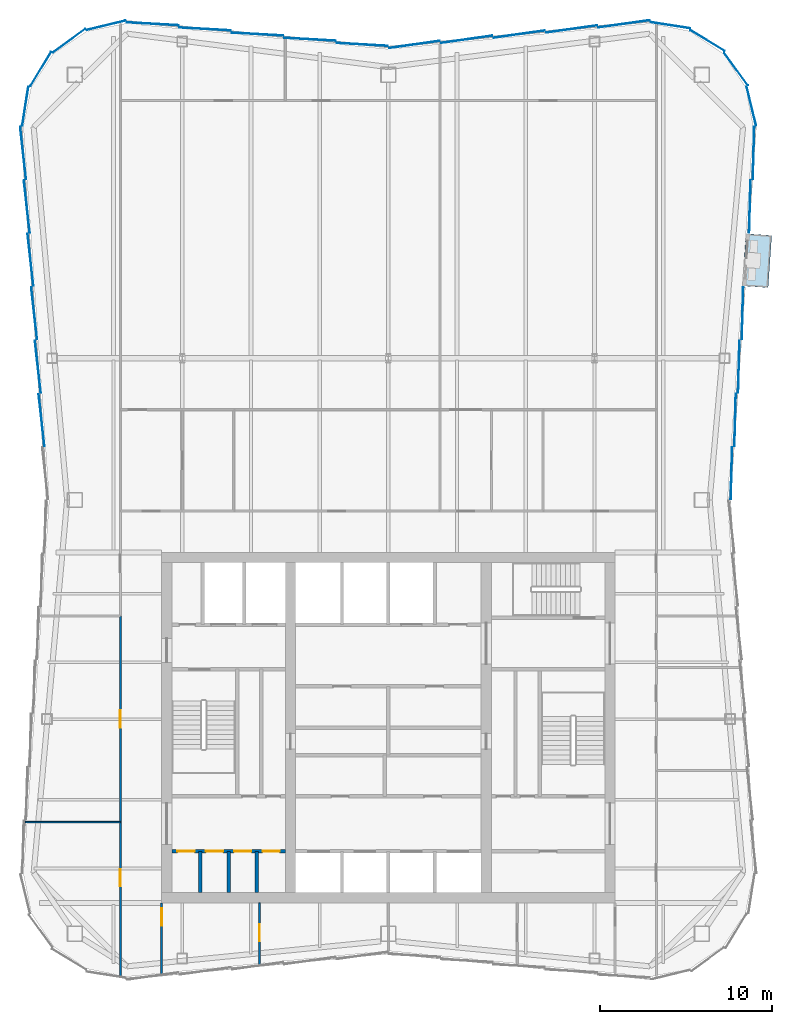
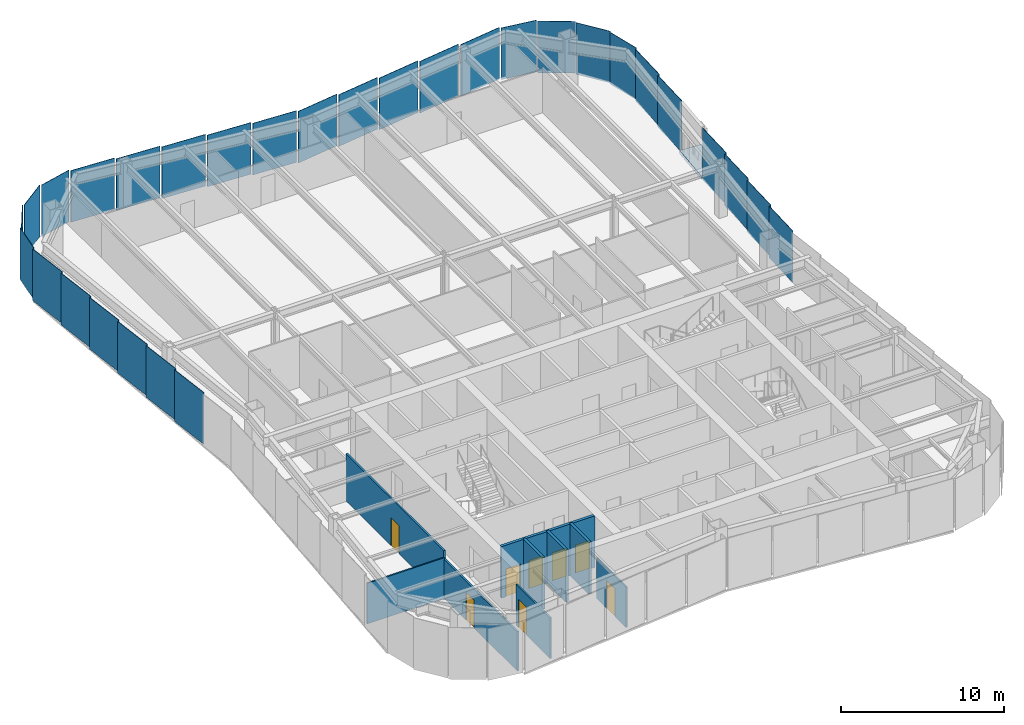
# One storey, part 5 of 11: 30 plates, 9 walls, 8 doors, 1 slab, 8 openings, 5 elements without a shape of their own.
"""IFC4 building model written with IfcOpenShell, lengths in metres."""

from ifc_helpers import new_model, si_unit, direction, frame, frame_2d, origin, origin_2d, place, context, subcontext, project, spatial, polyline, rectangle, outline, extrude, material, layer, layer_set, type_object, element, fill, aggregate, save


model = new_model("IFC4")

# Units and contexts
model_context = context("Model", 3, precision=1e-05, world=origin(), true_north=direction((0.0, 1.0)))
body_context = subcontext(model_context, "Body", "Model", "MODEL_VIEW")
ifc_project = project(units=[si_unit("LENGTHUNIT", "METRE"), si_unit("AREAUNIT", "SQUARE_METRE"), si_unit("VOLUMEUNIT", "CUBIC_METRE"), si_unit("PLANEANGLEUNIT", "RADIAN"), si_unit("MASSUNIT", "GRAM", prefix="KILO")], contexts=[model_context])

# Site, building, storey
site_placement = place(None, origin())
site = spatial("IfcSite", under=ifc_project, at=site_placement, CompositionType="ELEMENT")
building_placement = place(site_placement, origin())
building = spatial("IfcBuilding", under=site, at=building_placement, Name="Verdant Reach Tower", CompositionType="ELEMENT")
storey_placement = place(building_placement, frame((0.0, 0.0, 298.0)))
storey = spatial("IfcBuildingStorey", under=building, at=storey_placement, Name="L68", CompositionType="ELEMENT", Elevation=298.0)

# Slab
ifc_material_1 = material(Name="Concrete C35/45", Category="concrete")
ifc_layer_1 = layer(ifc_material_1, 0.25)
ifc_layer_set_1 = layer_set([ifc_layer_1], Name="EN-BALCONY SLAB")
slab_type = type_object("IfcSlabType", Name="EN-BALCONY SLAB", PredefinedType="FLOOR", material=ifc_layer_set_1)
slab_placement = place(storey_placement, frame((0.0, 0.0, -0.25)))
element("IfcSlab", 1, at=slab_placement, inside=storey, type_object=slab_type, Name="Balcony slab 1, L68", PredefinedType="FLOOR", context=body_context, shape_type="SweptSolid", body=[
    extrude(outline(polyline([(20.609619140625, 53.71337890625), (20.819091796875, 56.750732421875), (22.3154296875, 56.647705078125), (22.10595703125, 53.6103515625), (20.609619140625, 53.71337890625)])), origin(), (0.0, 0.0, 1.0), 0.25),
])

# Curtain wall, plates
ifc_material_2 = material(Name="Anodised aluminium", Category="aluminium")
curtain_wall_type = type_object("IfcCurtainWallType", Name="EN-CW SYSTEM Z5", PredefinedType="NOTDEFINED", material=ifc_material_2)
curtain_wall_1_placement = place(storey_placement, origin())
curtain_wall_1 = element("IfcCurtainWall", 2, at=curtain_wall_1_placement, inside=storey, type_object=curtain_wall_type, Name="Curtain wall east, L68", PredefinedType="NOTDEFINED")
ifc_material_3 = material(Name="Tinted glass with champagne spandrel", Category="glass")
ifc_layer_2 = layer(ifc_material_3, 0.031982421875)
ifc_layer_set_2 = layer_set([ifc_layer_2], Name="EN-PANEL CHAMPAGNE")
plate_type_1 = type_object("IfcPlateType", Name="EN-PANEL CHAMPAGNE", PredefinedType="CURTAIN_PANEL", material=ifc_layer_set_2)
plate_1_placement = place(storey_placement, frame((20.18603515625, 45.90283203125, -0.219970703125), z_axis=(0.0, 0.0, 1.0), x_axis=(0.026965318308, 0.999636369691, 0.0)))
plate_1 = element("IfcPlate", 3, at=plate_1_placement, type_object=plate_type_1, Name="Glass panel east face part 2 2.1, L68", PredefinedType="CURTAIN_PANEL", context=body_context, shape_type="SweptSolid", body=[
    extrude(rectangle(XDim=3.048583984375, YDim=0.031982421875, at=origin_2d()), origin(), (0.0, 0.0, 1.0), 3.8701171875),
])
plate_2_placement = place(storey_placement, frame((20.400390625, 49.010009765625, -0.219970703125), z_axis=(0.0, 0.0, 1.0), x_axis=(0.026965318308, 0.999636369691, 0.0)))
plate_2 = element("IfcPlate", 4, at=plate_2_placement, type_object=plate_type_1, Name="Glass panel east face part 2 3.1, L68", PredefinedType="CURTAIN_PANEL", context=body_context, shape_type="SweptSolid", body=[
    extrude(rectangle(XDim=3.048583984375, YDim=0.031982421875, at=origin_2d()), origin(), (0.0, 0.0, 1.0), 3.8701171875),
])

curtain_wall_2_placement = place(storey_placement, origin())
curtain_wall_2 = element("IfcCurtainWall", 5, at=curtain_wall_2_placement, inside=storey, type_object=curtain_wall_type, Name="Curtain wall north-east corner, L68", PredefinedType="NOTDEFINED")
plate_3_placement = place(storey_placement, frame((21.132080078125, 64.173828125, -0.219970703125), z_axis=(0.0, 0.0, 1.0), x_axis=(-0.236471447122, 0.971638438256, 0.0)))
plate_3 = element("IfcPlate", 6, at=plate_3_placement, type_object=plate_type_1, Name="Glass panel north-east corner 1.1, L68", PredefinedType="CURTAIN_PANEL", context=body_context, shape_type="SweptSolid", body=[
    extrude(rectangle(XDim=2.312744140625, YDim=0.031982421875, at=origin_2d()), origin(), (0.0, 0.0, 1.0), 3.8701171875),
])
plate_4_placement = place(storey_placement, frame((20.23681640625, 66.33203125, -0.219970703125), z_axis=(0.0, 0.0, 1.0), x_axis=(-0.58992672698, 0.807456783236, 0.0)))
plate_4 = element("IfcPlate", 7, at=plate_4_placement, type_object=plate_type_1, Name="Glass panel north-east corner 2.1, L68", PredefinedType="CURTAIN_PANEL", context=body_context, shape_type="SweptSolid", body=[
    extrude(rectangle(XDim=2.320068359375, YDim=0.031982421875, at=origin_2d()), origin(), (0.0, 0.0, 1.0), 3.8701171875),
])

# Curtain wall, plate
curtain_wall_3_placement = place(storey_placement, origin())
curtain_wall_3 = element("IfcCurtainWall", 8, at=curtain_wall_3_placement, inside=storey, type_object=curtain_wall_type, Name="Curtain wall north, L68", PredefinedType="NOTDEFINED")
plate_5_placement = place(storey_placement, frame((-1.519287109375, 67.7646484375, -0.219970703125), z_axis=(0.0, 0.0, 1.0), x_axis=(-0.998413420442, 0.05630845301, 0.0)))
plate_5 = element("IfcPlate", 9, at=plate_5_placement, type_object=plate_type_1, Name="Glass panel north face part 2 1.1, L68", PredefinedType="CURTAIN_PANEL", context=body_context, shape_type="SweptSolid", body=[
    extrude(rectangle(XDim=2.987548828125, YDim=0.031982421875, at=origin_2d()), origin(), (0.0, 0.0, 1.0), 3.8701171875),
])

# Curtain wall, plates
curtain_wall_4_placement = place(storey_placement, origin())
curtain_wall_4 = element("IfcCurtainWall", 10, at=curtain_wall_4_placement, inside=storey, type_object=curtain_wall_type, Name="Curtain wall west, L68", PredefinedType="NOTDEFINED")
plate_6_placement = place(storey_placement, frame((-20.61474609375, 52.1171875, -0.219970703125), z_axis=(0.0, 0.0, 1.0), x_axis=(0.110518162674, -0.993874104562, 0.0)))
plate_6 = element("IfcPlate", 11, at=plate_6_placement, type_object=plate_type_1, Name="Glass panel west face part 1 4.1, L68", PredefinedType="CURTAIN_PANEL", context=body_context, shape_type="SweptSolid", body=[
    extrude(rectangle(XDim=3.048583984375, YDim=0.031982421875, at=origin_2d()), origin(), (0.0, 0.0, 1.0), 3.8701171875),
])
plate_7_placement = place(storey_placement, frame((-20.400390625, 49.010009765625, -0.219970703125), z_axis=(0.0, 0.0, 1.0), x_axis=(0.110518162674, -0.993874104562, 0.0)))
plate_7 = element("IfcPlate", 12, at=plate_7_placement, type_object=plate_type_1, Name="Glass panel west face part 1 5.1, L68", PredefinedType="CURTAIN_PANEL", context=body_context, shape_type="SweptSolid", body=[
    extrude(rectangle(XDim=3.048583984375, YDim=0.031982421875, at=origin_2d()), origin(), (0.0, 0.0, 1.0), 3.8701171875),
])
plate_8_placement = place(storey_placement, frame((-20.18603515625, 45.90283203125, -0.219970703125), z_axis=(0.0, 0.0, 1.0), x_axis=(0.110518162674, -0.993874104562, 0.0)))
plate_8 = element("IfcPlate", 13, at=plate_8_placement, type_object=plate_type_1, Name="Glass panel west face part 1 6.1, L68", PredefinedType="CURTAIN_PANEL", context=body_context, shape_type="SweptSolid", body=[
    extrude(rectangle(XDim=3.048583984375, YDim=0.031982421875, at=origin_2d()), origin(), (0.0, 0.0, 1.0), 3.8701171875),
])

# Plate
ifc_material_4 = material(Name="Tinted glass with copper spandrel", Category="glass")
ifc_layer_3 = layer(ifc_material_4, 0.031982421875)
ifc_layer_set_3 = layer_set([ifc_layer_3], Name="EN-PANEL COPPER")
plate_type_2 = type_object("IfcPlateType", Name="EN-PANEL COPPER", PredefinedType="CURTAIN_PANEL", material=ifc_layer_set_3)
plate_9_placement = place(storey_placement, frame((20.61474609375, 52.1171875, -0.219970703125), z_axis=(0.0, 0.0, 1.0), x_axis=(0.026965318308, 0.999636369691, 0.0)))
plate_9 = element("IfcPlate", 14, at=plate_9_placement, type_object=plate_type_2, Name="Glass panel east face part 2 4.1, L68", PredefinedType="CURTAIN_PANEL", context=body_context, shape_type="SweptSolid", body=[
    extrude(rectangle(XDim=3.048583984375, YDim=0.031982421875, at=origin_2d()), origin(), (0.0, 0.0, 1.0), 3.8701171875),
])

plate_10_placement = place(storey_placement, frame((21.043212890625, 58.331298828125, -0.219970703125), z_axis=(0.0, 0.0, 1.0), x_axis=(0.026965318308, 0.999636369691, 0.0)))
plate_10 = element("IfcPlate", 15, at=plate_10_placement, type_object=plate_type_2, Name="Glass panel east face part 2 6.1, L68", PredefinedType="CURTAIN_PANEL", context=body_context, shape_type="SweptSolid", body=[
    extrude(rectangle(XDim=3.048583984375, YDim=0.031982421875, at=origin_2d()), origin(), (0.0, 0.0, 1.0), 3.8701171875),
])

plate_11_placement = place(storey_placement, frame((18.58203125, 67.98681640625, -0.219970703125), z_axis=(0.0, 0.0, 1.0), x_axis=(-0.853988714885, 0.520291528711, 0.0)))
plate_11 = element("IfcPlate", 16, at=plate_11_placement, type_object=plate_type_2, Name="Glass panel north-east corner 3.1, L68", PredefinedType="CURTAIN_PANEL", context=body_context, shape_type="SweptSolid", body=[
    extrude(rectangle(XDim=2.320068359375, YDim=0.031982421875, at=origin_2d()), origin(), (0.0, 0.0, 1.0), 3.8701171875),
])

plate_12_placement = place(storey_placement, frame((16.4228515625, 68.88232421875, -0.219970703125), z_axis=(0.0, 0.0, 1.0), x_axis=(-0.988033409454, 0.154240013621, 0.0)))
plate_12 = element("IfcPlate", 17, at=plate_12_placement, type_object=plate_type_2, Name="Glass panel north-east corner 4.1, L68", PredefinedType="CURTAIN_PANEL", context=body_context, shape_type="SweptSolid", body=[
    extrude(rectangle(XDim=2.314453125, YDim=0.031982421875, at=origin_2d()), origin(), (0.0, 0.0, 1.0), 3.8701171875),
])

aggregate(curtain_wall_2, [plate_3, plate_4, plate_11, plate_12])

plate_13_placement = place(storey_placement, frame((13.72216796875, 68.964599609375, -0.219970703125), z_axis=(0.0, 0.0, 1.0), x_axis=(-0.990281521639, -0.139077345032, 0.0)))
plate_13 = element("IfcPlate", 18, at=plate_13_placement, type_object=plate_type_2, Name="Glass panel north face part 1 1.1, L68", PredefinedType="CURTAIN_PANEL", context=body_context, shape_type="SweptSolid", body=[
    extrude(rectangle(XDim=3.015625, YDim=0.031982421875, at=origin_2d()), origin(), (0.0, 0.0, 1.0), 3.8701171875),
])

plate_14_placement = place(storey_placement, frame((10.663818359375, 68.66455078125, -0.219970703125), z_axis=(0.0, 0.0, 1.0), x_axis=(-0.990225318365, -0.139476947446, 0.0)))
plate_14 = element("IfcPlate", 19, at=plate_14_placement, type_object=plate_type_2, Name="Glass panel north face part 1 2.1, L68", PredefinedType="CURTAIN_PANEL", context=body_context, shape_type="SweptSolid", body=[
    extrude(rectangle(XDim=2.998779296875, YDim=0.031982421875, at=origin_2d()), origin(), (0.0, 0.0, 1.0), 3.8701171875),
])

plate_15_placement = place(storey_placement, frame((-4.563720703125, 68.064453125, -0.219970703125), z_axis=(0.0, 0.0, 1.0), x_axis=(-0.998423588956, 0.056127863106, 0.0)))
plate_15 = element("IfcPlate", 20, at=plate_15_placement, type_object=plate_type_2, Name="Glass panel north face part 2 2.1, L68", PredefinedType="CURTAIN_PANEL", context=body_context, shape_type="SweptSolid", body=[
    extrude(rectangle(XDim=2.998779296875, YDim=0.031982421875, at=origin_2d()), origin(), (0.0, 0.0, 1.0), 3.8701171875),
])

plate_16_placement = place(storey_placement, frame((-7.61376953125, 68.364501953125, -0.219970703125), z_axis=(0.0, 0.0, 1.0), x_axis=(-0.998423588956, 0.056127863106, 0.0)))
plate_16 = element("IfcPlate", 21, at=plate_16_placement, type_object=plate_type_2, Name="Glass panel north face part 2 3.1, L68", PredefinedType="CURTAIN_PANEL", context=body_context, shape_type="SweptSolid", body=[
    extrude(rectangle(XDim=2.998779296875, YDim=0.031982421875, at=origin_2d()), origin(), (0.0, 0.0, 1.0), 3.8701171875),
])

plate_17_placement = place(storey_placement, frame((-10.663818359375, 68.66455078125, -0.219970703125), z_axis=(0.0, 0.0, 1.0), x_axis=(-0.998423588956, 0.056127863106, 0.0)))
plate_17 = element("IfcPlate", 22, at=plate_17_placement, type_object=plate_type_2, Name="Glass panel north face part 2 4.1, L68", PredefinedType="CURTAIN_PANEL", context=body_context, shape_type="SweptSolid", body=[
    extrude(rectangle(XDim=2.998779296875, YDim=0.031982421875, at=origin_2d()), origin(), (0.0, 0.0, 1.0), 3.8701171875),
])

# Curtain wall, plates
curtain_wall_5_placement = place(storey_placement, origin())
curtain_wall_5 = element("IfcCurtainWall", 23, at=curtain_wall_5_placement, inside=storey, type_object=curtain_wall_type, Name="Curtain wall north-west corner, L68", PredefinedType="NOTDEFINED")
plate_18_placement = place(storey_placement, frame((-16.4228515625, 68.88232421875, -0.219970703125), z_axis=(0.0, 0.0, 1.0), x_axis=(-0.971661765526, -0.236375577028, 0.0)))
plate_18 = element("IfcPlate", 24, at=plate_18_placement, type_object=plate_type_2, Name="Glass panel north-west corner 1.1, L68", PredefinedType="CURTAIN_PANEL", context=body_context, shape_type="SweptSolid", body=[
    extrude(rectangle(XDim=2.314453125, YDim=0.031982421875, at=origin_2d()), origin(), (0.0, 0.0, 1.0), 3.8701171875),
])
plate_19_placement = place(storey_placement, frame((-18.58203125, 67.98681640625, -0.219970703125), z_axis=(0.0, 0.0, 1.0), x_axis=(-0.807456783236, -0.58992672698, 0.0)))
plate_19 = element("IfcPlate", 25, at=plate_19_placement, type_object=plate_type_2, Name="Glass panel north-west corner 2.1, L68", PredefinedType="CURTAIN_PANEL", context=body_context, shape_type="SweptSolid", body=[
    extrude(rectangle(XDim=2.320068359375, YDim=0.031982421875, at=origin_2d()), origin(), (0.0, 0.0, 1.0), 3.8701171875),
])

# Plate
plate_20_placement = place(storey_placement, frame((-21.257568359375, 61.446044921875, -0.219970703125), z_axis=(0.0, 0.0, 1.0), x_axis=(0.110197580247, -0.993909700782, 0.0)))
plate_20 = element("IfcPlate", 26, at=plate_20_placement, type_object=plate_type_2, Name="Glass panel west face part 1 1.1, L68", PredefinedType="CURTAIN_PANEL", context=body_context, shape_type="SweptSolid", body=[
    extrude(rectangle(XDim=3.063720703125, YDim=0.031982421875, at=origin_2d()), origin(), (0.0, 0.0, 1.0), 3.8701171875),
])

ifc_material_5 = material(Name="Tinted glass with dark bronze spandrel", Category="glass")
ifc_layer_4 = layer(ifc_material_5, 0.031982421875)
ifc_layer_set_4 = layer_set([ifc_layer_4], Name="EN-PANEL DARK")
plate_type_3 = type_object("IfcPlateType", Name="EN-PANEL DARK", PredefinedType="CURTAIN_PANEL", material=ifc_layer_set_4)
plate_21_placement = place(storey_placement, frame((19.971923828125, 42.799560546875, -0.219970703125), z_axis=(0.0, 0.0, 1.0), x_axis=(0.027053006415, 0.999634000444, 0.0)))
plate_21 = element("IfcPlate", 27, at=plate_21_placement, type_object=plate_type_3, Name="Glass panel east face part 2 1.1, L68", PredefinedType="CURTAIN_PANEL", context=body_context, shape_type="SweptSolid", body=[
    extrude(rectangle(XDim=3.04052734375, YDim=0.031982421875, at=origin_2d()), origin(), (0.0, 0.0, 1.0), 3.8701171875),
])

plate_22_placement = place(storey_placement, frame((21.257568359375, 61.446044921875, -0.219970703125), z_axis=(0.0, 0.0, 1.0), x_axis=(0.026642881595, 0.999645015423, 0.0)))
plate_22 = element("IfcPlate", 28, at=plate_22_placement, type_object=plate_type_3, Name="Glass panel east face part 2 7.1, L68", PredefinedType="CURTAIN_PANEL", context=body_context, shape_type="SweptSolid", body=[
    extrude(rectangle(XDim=3.063720703125, YDim=0.031982421875, at=origin_2d()), origin(), (0.0, 0.0, 1.0), 3.8701171875),
])

aggregate(curtain_wall_1, [plate_21, plate_1, plate_2, plate_9, plate_10, plate_22])

plate_23_placement = place(storey_placement, frame((7.61376953125, 68.364501953125, -0.219970703125), z_axis=(0.0, 0.0, 1.0), x_axis=(-0.990225318365, -0.139476947446, 0.0)))
plate_23 = element("IfcPlate", 29, at=plate_23_placement, type_object=plate_type_3, Name="Glass panel north face part 1 3.1, L68", PredefinedType="CURTAIN_PANEL", context=body_context, shape_type="SweptSolid", body=[
    extrude(rectangle(XDim=2.998779296875, YDim=0.031982421875, at=origin_2d()), origin(), (0.0, 0.0, 1.0), 3.8701171875),
])

plate_24_placement = place(storey_placement, frame((4.563720703125, 68.064453125, -0.219970703125), z_axis=(0.0, 0.0, 1.0), x_axis=(-0.990225318365, -0.139476947446, 0.0)))
plate_24 = element("IfcPlate", 30, at=plate_24_placement, type_object=plate_type_3, Name="Glass panel north face part 1 4.1, L68", PredefinedType="CURTAIN_PANEL", context=body_context, shape_type="SweptSolid", body=[
    extrude(rectangle(XDim=2.998779296875, YDim=0.031982421875, at=origin_2d()), origin(), (0.0, 0.0, 1.0), 3.8701171875),
])

plate_25_placement = place(storey_placement, frame((1.519287109375, 67.7646484375, -0.219970703125), z_axis=(0.0, 0.0, 1.0), x_axis=(-0.990200074141, -0.139656053116, 0.0)))
plate_25 = element("IfcPlate", 31, at=plate_25_placement, type_object=plate_type_3, Name="Glass panel north face part 1 5.1, L68", PredefinedType="CURTAIN_PANEL", context=body_context, shape_type="SweptSolid", body=[
    extrude(rectangle(XDim=2.987548828125, YDim=0.031982421875, at=origin_2d()), origin(), (0.0, 0.0, 1.0), 3.8701171875),
])

plate_26_placement = place(storey_placement, frame((-13.72216796875, 68.964599609375, -0.219970703125), z_axis=(0.0, 0.0, 1.0), x_axis=(-0.998446157248, 0.055724959185, 0.0)))
plate_26 = element("IfcPlate", 32, at=plate_26_placement, type_object=plate_type_3, Name="Glass panel north face part 2 5.1, L68", PredefinedType="CURTAIN_PANEL", context=body_context, shape_type="SweptSolid", body=[
    extrude(rectangle(XDim=3.015625, YDim=0.031982421875, at=origin_2d()), origin(), (0.0, 0.0, 1.0), 3.8701171875),
])

aggregate(curtain_wall_3, [plate_13, plate_14, plate_23, plate_24, plate_25, plate_5, plate_15, plate_16, plate_17, plate_26])

plate_27_placement = place(storey_placement, frame((-20.23681640625, 66.33203125, -0.219970703125), z_axis=(0.0, 0.0, 1.0), x_axis=(-0.520291528711, -0.853988714885, 0.0)))
plate_27 = element("IfcPlate", 33, at=plate_27_placement, type_object=plate_type_3, Name="Glass panel north-west corner 3.1, L68", PredefinedType="CURTAIN_PANEL", context=body_context, shape_type="SweptSolid", body=[
    extrude(rectangle(XDim=2.320068359375, YDim=0.031982421875, at=origin_2d()), origin(), (0.0, 0.0, 1.0), 3.8701171875),
])

plate_28_placement = place(storey_placement, frame((-21.132080078125, 64.173828125, -0.219970703125), z_axis=(0.0, 0.0, 1.0), x_axis=(-0.154337499461, -0.988018186199, 0.0)))
plate_28 = element("IfcPlate", 34, at=plate_28_placement, type_object=plate_type_3, Name="Glass panel north-west corner 4.1, L68", PredefinedType="CURTAIN_PANEL", context=body_context, shape_type="SweptSolid", body=[
    extrude(rectangle(XDim=2.312744140625, YDim=0.031982421875, at=origin_2d()), origin(), (0.0, 0.0, 1.0), 3.8701171875),
])

aggregate(curtain_wall_5, [plate_18, plate_19, plate_27, plate_28])

plate_29_placement = place(storey_placement, frame((-21.043212890625, 58.331298828125, -0.219970703125), z_axis=(0.0, 0.0, 1.0), x_axis=(0.110518162674, -0.993874104562, 0.0)))
plate_29 = element("IfcPlate", 35, at=plate_29_placement, type_object=plate_type_3, Name="Glass panel west face part 1 2.1, L68", PredefinedType="CURTAIN_PANEL", context=body_context, shape_type="SweptSolid", body=[
    extrude(rectangle(XDim=3.048583984375, YDim=0.031982421875, at=origin_2d()), origin(), (0.0, 0.0, 1.0), 3.8701171875),
])

plate_30_placement = place(storey_placement, frame((-20.8291015625, 55.22412109375, -0.219970703125), z_axis=(0.0, 0.0, 1.0), x_axis=(0.110518162674, -0.993874104562, 0.0)))
plate_30 = element("IfcPlate", 36, at=plate_30_placement, type_object=plate_type_3, Name="Glass panel west face part 1 3.1, L68", PredefinedType="CURTAIN_PANEL", context=body_context, shape_type="SweptSolid", body=[
    extrude(rectangle(XDim=3.048583984375, YDim=0.031982421875, at=origin_2d()), origin(), (0.0, 0.0, 1.0), 3.8701171875),
])

aggregate(curtain_wall_4, [plate_20, plate_29, plate_30, plate_6, plate_7, plate_8])

# Wall, openings, doors
ifc_material_6 = material(Name="Gypsum board on steel studs", Category="steel")
ifc_layer_5 = layer(ifc_material_6, 0.199951171875)
ifc_layer_set_5 = layer_set([ifc_layer_5], Name="CO-WALL-ROOM")
wall_type_1 = type_object("IfcWallType", Name="CO-WALL-ROOM", PredefinedType="PARTITIONING", material=ifc_layer_set_5)
wall_1_placement = place(storey_placement, frame((-12.60009765625, 20.800048828125, 0.0), z_axis=(0.0, 0.0, 1.0), x_axis=(1.0, 0.0, 0.0)))
wall_1 = element("IfcWall", 37, at=wall_1_placement, inside=storey, type_object=wall_type_1, Name="Core partition, L68", PredefinedType="PARTITIONING", context=body_context, shape_type="SweptSolid", body=[
    extrude(rectangle(XDim=6.60009765625, YDim=0.199951171875, at=frame_2d((3.300048828125, 0.0))), origin(), (0.0, 0.0, 1.0), 3.8701171875),
])
opening_1_placement = place(wall_1_placement, frame((0.324951171875, 0.0, 0.0)))
opening_1 = element("IfcOpeningElement", 38, at=opening_1_placement, cuts=wall_1, Name="Opening CD", PredefinedType="OPENING", context=body_context, shape_type="SweptSolid", body=[
    extrude(rectangle(XDim=1.0, YDim=2.10009765625, at=frame_2d((0.5, 1.050048828125))), frame((0.0, 0.10986328125, 0.0), z_axis=(0.0, -1.0, 0.0), x_axis=(1.0, 0.0, 0.0)), (0.0, 0.0, 1.0), 0.219970703125),
])
opening_2_placement = place(wall_1_placement, frame((1.97509765625, 0.0, 0.0)))
opening_2 = element("IfcOpeningElement", 39, at=opening_2_placement, cuts=wall_1, Name="Opening CD", PredefinedType="OPENING", context=body_context, shape_type="SweptSolid", body=[
    extrude(rectangle(XDim=1.0, YDim=2.10009765625, at=frame_2d((0.5, 1.050048828125))), frame((0.0, 0.10986328125, 0.0), z_axis=(0.0, -1.0, 0.0), x_axis=(1.0, 0.0, 0.0)), (0.0, 0.0, 1.0), 0.219970703125),
])
opening_3_placement = place(wall_1_placement, frame((3.625, 0.0, 0.0)))
opening_3 = element("IfcOpeningElement", 40, at=opening_3_placement, cuts=wall_1, Name="Opening CD", PredefinedType="OPENING", context=body_context, shape_type="SweptSolid", body=[
    extrude(rectangle(XDim=1.0, YDim=2.10009765625, at=frame_2d((0.5, 1.050048828125))), frame((0.0, 0.10986328125, 0.0), z_axis=(0.0, -1.0, 0.0), x_axis=(1.0, 0.0, 0.0)), (0.0, 0.0, 1.0), 0.219970703125),
])
opening_4_placement = place(wall_1_placement, frame((5.27490234375, 0.0, 0.0)))
opening_4 = element("IfcOpeningElement", 41, at=opening_4_placement, cuts=wall_1, Name="Opening CD", PredefinedType="OPENING", context=body_context, shape_type="SweptSolid", body=[
    extrude(rectangle(XDim=1.0, YDim=2.10009765625, at=frame_2d((0.5, 1.050048828125))), frame((0.0, 0.10986328125, 0.0), z_axis=(0.0, -1.0, 0.0), x_axis=(1.0, 0.0, 0.0)), (0.0, 0.0, 1.0), 0.219970703125),
])
ifc_material_7 = material(Name="Timber", Category="wood")
door_type_1 = type_object("IfcDoorType", Name="CO-DOOR-ROOM", OperationType="NOTDEFINED", PredefinedType="DOOR", material=ifc_material_7)
door_1_placement = place(opening_1_placement, origin())
door_1 = element("IfcDoor", 42, at=door_1_placement, inside=storey, type_object=door_type_1, Name="Core room door, L68", OperationType="SINGLE_SWING_RIGHT", OverallHeight=2.10009765625, OverallWidth=1.0, PredefinedType="DOOR", context=body_context, shape_type="SweptSolid", body=[
    extrude(rectangle(XDim=1.0, YDim=2.10009765625, at=frame_2d((0.5, 1.050048828125))), frame((0.0, 0.02490234375, 0.0), z_axis=(0.0, -1.0, 0.0), x_axis=(1.0, 0.0, 0.0)), (0.0, 0.0, 1.0), 0.050048828125),
])
fill(opening_1, door_1)
door_2_placement = place(opening_2_placement, origin())
door_2 = element("IfcDoor", 43, at=door_2_placement, inside=storey, type_object=door_type_1, Name="Core room door, L68", OperationType="SINGLE_SWING_RIGHT", OverallHeight=2.10009765625, OverallWidth=1.0, PredefinedType="DOOR", context=body_context, shape_type="SweptSolid", body=[
    extrude(rectangle(XDim=1.0, YDim=2.10009765625, at=frame_2d((0.5, 1.050048828125))), frame((0.0, 0.02490234375, 0.0), z_axis=(0.0, -1.0, 0.0), x_axis=(1.0, 0.0, 0.0)), (0.0, 0.0, 1.0), 0.050048828125),
])
fill(opening_2, door_2)
door_3_placement = place(opening_3_placement, origin())
door_3 = element("IfcDoor", 44, at=door_3_placement, inside=storey, type_object=door_type_1, Name="Core room door, L68", OperationType="SINGLE_SWING_LEFT", OverallHeight=2.10009765625, OverallWidth=1.0, PredefinedType="DOOR", context=body_context, shape_type="SweptSolid", body=[
    extrude(rectangle(XDim=1.0, YDim=2.10009765625, at=frame_2d((0.5, 1.050048828125))), frame((0.0, 0.02490234375, 0.0), z_axis=(0.0, -1.0, 0.0), x_axis=(1.0, 0.0, 0.0)), (0.0, 0.0, 1.0), 0.050048828125),
])
fill(opening_3, door_3)
door_4_placement = place(opening_4_placement, origin())
door_4 = element("IfcDoor", 45, at=door_4_placement, inside=storey, type_object=door_type_1, Name="Core room door, L68", OperationType="SINGLE_SWING_LEFT", OverallHeight=2.10009765625, OverallWidth=1.0, PredefinedType="DOOR", context=body_context, shape_type="SweptSolid", body=[
    extrude(rectangle(XDim=1.0, YDim=2.10009765625, at=frame_2d((0.5, 1.050048828125))), frame((0.0, 0.02490234375, 0.0), z_axis=(0.0, -1.0, 0.0), x_axis=(1.0, 0.0, 0.0)), (0.0, 0.0, 1.0), 0.050048828125),
])
fill(opening_4, door_4)

# Walls
for number, where, z_axis, x_axis, name in (
    (46, (-10.949951171875, 18.39990234375, 0.0), (0.0, 0.0, 1.0), (0.0, 1.0, 0.0), "Core partition, L68"),
    (47, (-9.300048828125, 18.39990234375, 0.0), (0.0, 0.0, 1.0), (0.0, 1.0, 0.0), "Core partition, L68"),
    (48, (-7.64990234375, 18.39990234375, 0.0), (0.0, 0.0, 1.0), (0.0, 1.0, 0.0), "Core partition, L68"),
):
    element("IfcWall", number, at=place(storey_placement, frame(where, z_axis=z_axis, x_axis=x_axis)), inside=storey, type_object=wall_type_1, Name=name, PredefinedType="PARTITIONING", context=body_context, shape_type="SweptSolid", body=[
        extrude(rectangle(XDim=2.400146484375, YDim=0.199951171875, at=frame_2d((1.2001953125, 0.0))), origin(), (0.0, 0.0, 1.0), 3.8701171875),
    ])
ifc_layer_6 = layer(ifc_material_6, 0.10009765625)
ifc_layer_set_6 = layer_set([ifc_layer_6], Name="FL-W1 Partition 100")
wall_type_2 = type_object("IfcWallType", Name="FL-W1 Partition 100", PredefinedType="PARTITIONING", material=ifc_layer_set_6)
wall_2_placement = place(storey_placement, frame((-15.60009765625, 22.5, 0.0), z_axis=(0.0, 0.0, 1.0), x_axis=(-1.0, 0.0, 0.0)))
element("IfcWall", 49, at=wall_2_placement, inside=storey, type_object=wall_type_2, Name="Partition 68.17", PredefinedType="PARTITIONING", context=body_context, shape_type="SweptSolid", body=[
    extrude(rectangle(XDim=5.52294921875, YDim=0.10009765625, at=frame_2d((2.761474609375, 0.0))), origin(), (0.0, 0.0, 1.0), 3.0400390625),
])

# Wall, opening, door
wall_3_placement = place(storey_placement, frame((-7.5, 17.800048828125, 0.0), z_axis=(0.0, 0.0, 1.0), x_axis=(0.0, -1.0, 0.0)))
wall_3 = element("IfcWall", 50, at=wall_3_placement, inside=storey, type_object=wall_type_2, Name="Partition 68.29", PredefinedType="PARTITIONING", context=body_context, shape_type="SweptSolid", body=[
    extrude(rectangle(XDim=3.61767578125, YDim=0.10009765625, at=frame_2d((1.808837890625, 0.0))), origin(), (0.0, 0.0, 1.0), 3.0400390625),
])
opening_5_placement = place(wall_3_placement, frame((1.24365234375, 0.0, 0.0)))
opening_5 = element("IfcOpeningElement", 51, at=opening_5_placement, cuts=wall_3, Name="Opening D3", PredefinedType="OPENING", context=body_context, shape_type="SweptSolid", body=[
    extrude(rectangle(XDim=1.0, YDim=2.10009765625, at=frame_2d((0.5, 1.050048828125))), frame((0.0, 0.06005859375, 0.0), z_axis=(0.0, -1.0, 0.0), x_axis=(1.0, 0.0, 0.0)), (0.0, 0.0, 1.0), 0.1201171875),
])
ifc_material_8 = material(Name="Painted timber door leaf", Category="wood")
door_type_2 = type_object("IfcDoorType", Name="FL-D3 Door 1000x2100", OperationType="NOTDEFINED", PredefinedType="DOOR", material=ifc_material_8)
door_5_placement = place(opening_5_placement, origin())
door_5 = element("IfcDoor", 52, at=door_5_placement, inside=storey, type_object=door_type_2, Name="Door 68-015", OperationType="SINGLE_SWING_LEFT", OverallHeight=2.10009765625, OverallWidth=1.0, PredefinedType="DOOR", context=body_context, shape_type="SweptSolid", body=[
    extrude(rectangle(XDim=1.0, YDim=2.10009765625, at=frame_2d((0.5, 1.050048828125))), frame((0.0, 0.02490234375, 0.0), z_axis=(0.0, -1.0, 0.0), x_axis=(1.0, 0.0, 0.0)), (0.0, 0.0, 1.0), 0.050048828125),
])
fill(opening_5, door_5)

ifc_material_9 = material(Name="Gypsum board on steel studs, fire rated", Category="steel")
ifc_layer_7 = layer(ifc_material_9, 0.125)
ifc_layer_set_7 = layer_set([ifc_layer_7], Name="FL-W2 Corridor wall 125")
wall_type_3 = type_object("IfcWallType", Name="FL-W2 Corridor wall 125", PredefinedType="PARTITIONING", material=ifc_layer_set_7)
wall_4_placement = place(storey_placement, frame((-15.60009765625, 13.489501953125, 0.0), z_axis=(0.0, 0.0, 1.0), x_axis=(0.0, 1.0, 0.0)))
wall_4 = element("IfcWall", 53, at=wall_4_placement, inside=storey, type_object=wall_type_3, Name="Partition 68.01", PredefinedType="PARTITIONING", context=body_context, shape_type="SweptSolid", body=[
    extrude(rectangle(XDim=9.010498046875, YDim=0.125, at=frame_2d((4.50537109375, 0.0))), origin(), (0.0, 0.0, 1.0), 2.929931640625),
])
opening_6_placement = place(wall_4_placement, frame((5.270751953125, 0.0, 0.0)))
opening_6 = element("IfcOpeningElement", 54, at=opening_6_placement, cuts=wall_4, Name="Opening D2", PredefinedType="OPENING", context=body_context, shape_type="SweptSolid", body=[
    extrude(rectangle(XDim=1.0, YDim=2.10009765625, at=frame_2d((0.5, 1.050048828125))), frame((0.0, 0.072509765625, 0.0), z_axis=(0.0, -1.0, 0.0), x_axis=(1.0, 0.0, 0.0)), (0.0, 0.0, 1.0), 0.14501953125),
])
ifc_material_10 = material(Name="Timber door leaf, fire rated", Category="wood")
door_type_3 = type_object("IfcDoorType", Name="FL-D2 Entrance door 1000x2100 FD30", OperationType="NOTDEFINED", PredefinedType="DOOR", material=ifc_material_10)
door_6_placement = place(opening_6_placement, origin())
door_6 = element("IfcDoor", 55, at=door_6_placement, inside=storey, type_object=door_type_3, Name="Door 68-001", OperationType="SINGLE_SWING_RIGHT", OverallHeight=2.10009765625, OverallWidth=1.0, PredefinedType="DOOR", context=body_context, shape_type="SweptSolid", body=[
    extrude(rectangle(XDim=1.0, YDim=2.10009765625, at=frame_2d((0.5, 1.050048828125))), frame((0.0, 0.02490234375, 0.0), z_axis=(0.0, -1.0, 0.0), x_axis=(1.0, 0.0, 0.0)), (0.0, 0.0, 1.0), 0.050048828125),
])
fill(opening_6, door_6)

wall_5_placement = place(storey_placement, frame((-15.60009765625, 22.5, 0.0), z_axis=(0.0, 0.0, 1.0), x_axis=(0.0, 1.0, 0.0)))
wall_5 = element("IfcWall", 56, at=wall_5_placement, inside=storey, type_object=wall_type_3, Name="Partition 68.02", PredefinedType="PARTITIONING", context=body_context, shape_type="SweptSolid", body=[
    extrude(rectangle(XDim=12.0, YDim=0.125, at=frame_2d((6.0, 0.0))), origin(), (0.0, 0.0, 1.0), 3.5400390625),
])
opening_7_placement = place(wall_5_placement, frame((5.5, 0.0, 0.0)))
opening_7 = element("IfcOpeningElement", 57, at=opening_7_placement, cuts=wall_5, Name="Opening D2", PredefinedType="OPENING", context=body_context, shape_type="SweptSolid", body=[
    extrude(rectangle(XDim=1.0, YDim=2.10009765625, at=frame_2d((0.5, 1.050048828125))), frame((0.0, 0.072509765625, 0.0), z_axis=(0.0, -1.0, 0.0), x_axis=(1.0, 0.0, 0.0)), (0.0, 0.0, 1.0), 0.14501953125),
])
door_7_placement = place(opening_7_placement, origin())
door_7 = element("IfcDoor", 58, at=door_7_placement, inside=storey, type_object=door_type_3, Name="Door 68-002", OperationType="SINGLE_SWING_RIGHT", OverallHeight=2.10009765625, OverallWidth=1.0, PredefinedType="DOOR", context=body_context, shape_type="SweptSolid", body=[
    extrude(rectangle(XDim=1.0, YDim=2.10009765625, at=frame_2d((0.5, 1.050048828125))), frame((0.0, 0.02490234375, 0.0), z_axis=(0.0, -1.0, 0.0), x_axis=(1.0, 0.0, 0.0)), (0.0, 0.0, 1.0), 0.050048828125),
])
fill(opening_7, door_7)

wall_6_placement = place(storey_placement, frame((-13.199951171875, 17.800048828125, 0.0), z_axis=(0.0, 0.0, 1.0), x_axis=(0.0, -1.0, 0.0)))
wall_6 = element("IfcWall", 59, at=wall_6_placement, inside=storey, type_object=wall_type_3, Name="Partition 68.09", PredefinedType="PARTITIONING", context=body_context, shape_type="SweptSolid", body=[
    extrude(rectangle(XDim=4.178466796875, YDim=0.125, at=frame_2d((2.08935546875, 0.0))), origin(), (0.0, 0.0, 1.0), 3.0400390625),
])
opening_8_placement = place(wall_6_placement, frame((0.32421875, 0.0, 0.0)))
opening_8 = element("IfcOpeningElement", 60, at=opening_8_placement, cuts=wall_6, Name="Opening D2", PredefinedType="OPENING", context=body_context, shape_type="SweptSolid", body=[
    extrude(rectangle(XDim=1.0, YDim=2.10009765625, at=frame_2d((0.5, 1.050048828125))), frame((0.0, 0.072509765625, 0.0), z_axis=(0.0, -1.0, 0.0), x_axis=(1.0, 0.0, 0.0)), (0.0, 0.0, 1.0), 0.14501953125),
])
door_8_placement = place(opening_8_placement, origin())
door_8 = element("IfcDoor", 61, at=door_8_placement, inside=storey, type_object=door_type_3, Name="Door 68-009", OperationType="SINGLE_SWING_LEFT", OverallHeight=2.10009765625, OverallWidth=1.0, PredefinedType="DOOR", context=body_context, shape_type="SweptSolid", body=[
    extrude(rectangle(XDim=1.0, YDim=2.10009765625, at=frame_2d((0.5, 1.050048828125))), frame((0.0, 0.02490234375, 0.0), z_axis=(0.0, -1.0, 0.0), x_axis=(1.0, 0.0, 0.0)), (0.0, 0.0, 1.0), 0.050048828125),
])
fill(opening_8, door_8)

save(model, "model.ifc")
